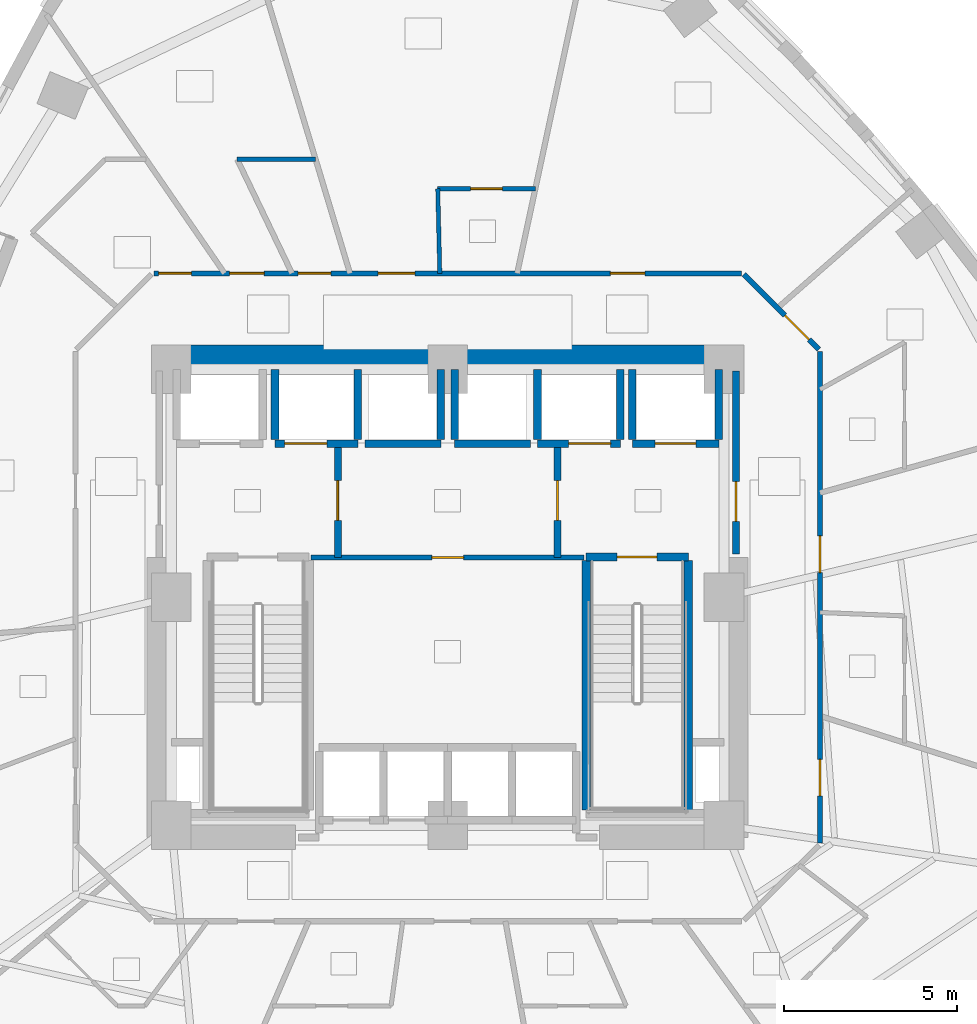
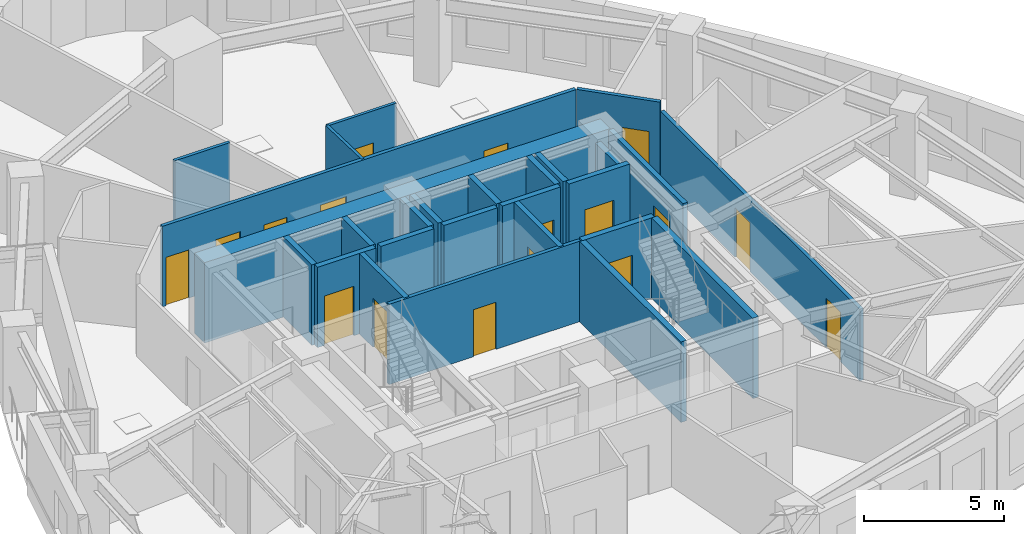
# One storey, part 7 of 12: 27 walls, 17 doors, 17 openings.
"""IFC4 building model written with IfcOpenShell, lengths in metres."""

from ifc_helpers import new_model, si_unit, direction, frame, frame_2d, origin, place, context, subcontext, project, spatial, rectangle, extrude, material, layer, layer_set, type_object, element, fill, save


model = new_model("IFC4")

# Units and contexts
model_context = context("Model", 3, precision=1e-05, world=origin(), true_north=direction((0.0, 1.0)))
body_context = subcontext(model_context, "Body", "Model", "MODEL_VIEW")
ifc_project = project(units=[si_unit("LENGTHUNIT", "METRE"), si_unit("AREAUNIT", "SQUARE_METRE"), si_unit("VOLUMEUNIT", "CUBIC_METRE"), si_unit("PLANEANGLEUNIT", "RADIAN"), si_unit("MASSUNIT", "GRAM", prefix="KILO")], contexts=[model_context])

# Site, building, storey
site_placement = place(None, origin())
site = spatial("IfcSite", under=ifc_project, at=site_placement, CompositionType="ELEMENT")
building_placement = place(site_placement, origin())
building = spatial("IfcBuilding", under=site, at=building_placement, Name="Ndelora Gate Hotel", CompositionType="ELEMENT")
storey_placement = place(building_placement, frame((0.0, 0.0, 64.25)))
storey = spatial("IfcBuildingStorey", under=building, at=storey_placement, Name="L15", CompositionType="ELEMENT", Elevation=64.25)

# Wall
ifc_material_1 = material(Name="Concrete C60/75", Category="concrete")
ifc_layer_1 = layer(ifc_material_1, 0.699951171875)
ifc_layer_set_1 = layer_set([ifc_layer_1], Name="Concrete C60/75")
wall_type_1 = type_object("IfcWallType", Name="WL-CORE-700", PredefinedType="SHEAR", material=ifc_layer_set_1)
wall_1_placement = place(storey_placement, frame((-8.35009765625, 6.949951171875, 0.0), z_axis=(0.0, 0.0, 1.0), x_axis=(1.0, 0.0, 0.0)))
element("IfcWall", 1, at=wall_1_placement, inside=storey, type_object=wall_type_1, Name="L15 Core Shear Wall N", PredefinedType="SHEAR", context=body_context, shape_type="SweptSolid", body=[
    extrude(rectangle(XDim=16.7001953125, YDim=0.699951171875, at=frame_2d((8.35009765625, 0.0))), origin(), (0.0, 0.0, 1.0), 3.5),
])

# Wall, opening, door
ifc_material_2 = material(Name="Concrete C40/50", Category="concrete")
ifc_layer_2 = layer(ifc_material_2, 0.199951171875)
ifc_layer_set_2 = layer_set([ifc_layer_2], Name="Concrete C40/50")
wall_type_2 = type_object("IfcWallType", Name="WL-FIRE-200", PredefinedType="PARTITIONING", material=ifc_layer_set_2)
wall_2_placement = place(storey_placement, frame((-3.179931640625, 1.14990234375, 0.0), z_axis=(0.0, 0.0, 1.0), x_axis=(0.0, 1.0, 0.0)))
wall_2 = element("IfcWall", 2, at=wall_2_placement, inside=storey, type_object=wall_type_2, Name="L15 Interior Wall IW-2", PredefinedType="PARTITIONING", context=body_context, shape_type="SweptSolid", body=[
    extrude(rectangle(XDim=3.300048828125, YDim=0.199951171875, at=frame_2d((1.64990234375, 0.0))), origin(), (0.0, 0.0, 1.0), 3.5),
])
opening_1_placement = place(wall_2_placement, frame((1.080078125, 0.0, 0.0)))
opening_1 = element("IfcOpeningElement", 3, at=opening_1_placement, cuts=wall_2, Name="Opening FD1", PredefinedType="OPENING", context=body_context, shape_type="SweptSolid", body=[
    extrude(rectangle(XDim=1.14990234375, YDim=2.14990234375, at=frame_2d((0.574951171875, 1.074951171875))), frame((0.0, 0.10986328125, 0.0), z_axis=(0.0, -1.0, 0.0), x_axis=(1.0, 0.0, 0.0)), (0.0, 0.0, 1.0), 0.219970703125),
])
ifc_material_3 = material(Name="Fire-Rated Timber-Veneer Steel Core", Category="steel")
door_type_1 = type_object("IfcDoorType", Name="DR-FD60", OperationType="SINGLE_SWING_LEFT", PredefinedType="DOOR", material=ifc_material_3)
door_1_placement = place(opening_1_placement, origin())
door_1 = element("IfcDoor", 4, at=door_1_placement, inside=storey, type_object=door_type_1, Name="L15 Firefighting Lobby West Door", OperationType="SINGLE_SWING_RIGHT", OverallHeight=2.14990234375, OverallWidth=1.14990234375, PredefinedType="DOOR", context=body_context, shape_type="SweptSolid", body=[
    extrude(rectangle(XDim=1.14990234375, YDim=2.14990234375, at=frame_2d((0.574951171875, 1.074951171875))), frame((0.0, 0.02490234375, 0.0), z_axis=(0.0, -1.0, 0.0), x_axis=(1.0, 0.0, 0.0)), (0.0, 0.0, 1.0), 0.050048828125),
])
fill(opening_1, door_1)

wall_3_placement = place(storey_placement, frame((3.179931640625, 1.14990234375, 0.0), z_axis=(0.0, 0.0, 1.0), x_axis=(0.0, 1.0, 0.0)))
wall_3 = element("IfcWall", 5, at=wall_3_placement, inside=storey, type_object=wall_type_2, Name="L15 Interior Wall IW-2", PredefinedType="PARTITIONING", context=body_context, shape_type="SweptSolid", body=[
    extrude(rectangle(XDim=3.300048828125, YDim=0.199951171875, at=frame_2d((1.64990234375, 0.0))), origin(), (0.0, 0.0, 1.0), 3.5),
])
opening_2_placement = place(wall_3_placement, frame((1.080078125, 0.0, 0.0)))
opening_2 = element("IfcOpeningElement", 6, at=opening_2_placement, cuts=wall_3, Name="Opening FD1", PredefinedType="OPENING", context=body_context, shape_type="SweptSolid", body=[
    extrude(rectangle(XDim=1.14990234375, YDim=2.14990234375, at=frame_2d((0.574951171875, 1.074951171875))), frame((0.0, 0.10986328125, 0.0), z_axis=(0.0, -1.0, 0.0), x_axis=(1.0, 0.0, 0.0)), (0.0, 0.0, 1.0), 0.219970703125),
])
door_2_placement = place(opening_2_placement, origin())
door_2 = element("IfcDoor", 7, at=door_2_placement, inside=storey, type_object=door_type_1, Name="L15 Firefighting Lobby East Door", OperationType="SINGLE_SWING_LEFT", OverallHeight=2.14990234375, OverallWidth=1.14990234375, PredefinedType="DOOR", context=body_context, shape_type="SweptSolid", body=[
    extrude(rectangle(XDim=1.14990234375, YDim=2.14990234375, at=frame_2d((0.574951171875, 1.074951171875))), frame((0.0, 0.02490234375, 0.0), z_axis=(0.0, -1.0, 0.0), x_axis=(1.0, 0.0, 0.0)), (0.0, 0.0, 1.0), 0.050048828125),
])
fill(opening_2, door_2)

wall_4_placement = place(storey_placement, frame((8.35009765625, 1.25, 0.0), z_axis=(0.0, 0.0, 1.0), x_axis=(0.0, 1.0, 0.0)))
wall_4 = element("IfcWall", 8, at=wall_4_placement, inside=storey, type_object=wall_type_2, Name="L15 Interior Wall IW-2", PredefinedType="PARTITIONING", context=body_context, shape_type="SweptSolid", body=[
    extrude(rectangle(XDim=5.300048828125, YDim=0.199951171875, at=frame_2d((2.64990234375, 0.0))), origin(), (0.0, 0.0, 1.0), 3.5),
])
opening_3_placement = place(wall_4_placement, frame((0.949951171875, 0.0, 0.0)))
opening_3 = element("IfcOpeningElement", 9, at=opening_3_placement, cuts=wall_4, Name="Opening FD1", PredefinedType="OPENING", context=body_context, shape_type="SweptSolid", body=[
    extrude(rectangle(XDim=1.14990234375, YDim=2.14990234375, at=frame_2d((0.574951171875, 1.074951171875))), frame((0.0, 0.10986328125, 0.0), z_axis=(0.0, -1.0, 0.0), x_axis=(1.0, 0.0, 0.0)), (0.0, 0.0, 1.0), 0.219970703125),
])
door_3_placement = place(opening_3_placement, origin())
door_3 = element("IfcDoor", 10, at=door_3_placement, inside=storey, type_object=door_type_1, Name="L15 Firefighting Lobby East Corridor Door", OperationType="SINGLE_SWING_RIGHT", OverallHeight=2.14990234375, OverallWidth=1.14990234375, PredefinedType="DOOR", context=body_context, shape_type="SweptSolid", body=[
    extrude(rectangle(XDim=1.14990234375, YDim=2.14990234375, at=frame_2d((0.574951171875, 1.074951171875))), frame((0.0, 0.02490234375, 0.0), z_axis=(0.0, -1.0, 0.0), x_axis=(1.0, 0.0, 0.0)), (0.0, 0.0, 1.0), 0.050048828125),
])
fill(opening_3, door_3)

ifc_material_4 = material(Name="Fire-Rated Gypsum Stud Partition", Category="gypsum")
ifc_layer_3 = layer(ifc_material_4, 0.14990234375)
ifc_layer_set_3 = layer_set([ifc_layer_3], Name="Fire-Rated Gypsum Stud Partition")
wall_type_3 = type_object("IfcWallType", Name="WL-PART-150", PredefinedType="PARTITIONING", material=ifc_layer_set_3)
wall_5_placement = place(storey_placement, frame((3.949951171875, 1.14990234375, 0.0), z_axis=(0.0, 0.0, 1.0), x_axis=(-1.0, 0.0, 0.0)))
wall_5 = element("IfcWall", 11, at=wall_5_placement, inside=storey, type_object=wall_type_3, Name="L15 Interior Wall IW-5", PredefinedType="PARTITIONING", context=body_context, shape_type="SweptSolid", body=[
    extrude(rectangle(XDim=7.89990234375, YDim=0.14990234375, at=frame_2d((3.949951171875, 0.0))), origin(), (0.0, 0.0, 1.0), 3.5),
])
opening_4_placement = place(wall_5_placement, frame((3.489990234375, 0.0, 0.0)))
opening_4 = element("IfcOpeningElement", 12, at=opening_4_placement, cuts=wall_5, Name="Opening D04", PredefinedType="OPENING", context=body_context, shape_type="SweptSolid", body=[
    extrude(rectangle(XDim=0.919921875, YDim=2.050048828125, at=frame_2d((0.4599609375, 1.02490234375))), frame((0.0, 0.0849609375, 0.0), z_axis=(0.0, -1.0, 0.0), x_axis=(1.0, 0.0, 0.0)), (0.0, 0.0, 1.0), 0.169921875),
])
ifc_material_5 = material(Name="Painted Steel Core Service Door", Category="steel")
door_type_2 = type_object("IfcDoorType", Name="DR-SER-920", OperationType="SINGLE_SWING_LEFT", PredefinedType="DOOR", material=ifc_material_5)
door_4_placement = place(opening_4_placement, origin())
door_4 = element("IfcDoor", 13, at=door_4_placement, inside=storey, type_object=door_type_2, Name="L15 Core Electrical and Linen Service Store Door", OperationType="SINGLE_SWING_LEFT", OverallHeight=2.050048828125, OverallWidth=0.919921875, PredefinedType="DOOR", context=body_context, shape_type="SweptSolid", body=[
    extrude(rectangle(XDim=0.919921875, YDim=2.050048828125, at=frame_2d((0.4599609375, 1.02490234375))), frame((0.0, 0.02490234375, 0.0), z_axis=(0.0, -1.0, 0.0), x_axis=(1.0, 0.0, 0.0)), (0.0, 0.0, 1.0), 0.050048828125),
])
fill(opening_4, door_4)

# Wall, openings, doors
wall_6_placement = place(storey_placement, frame((10.780029296875, 7.110107421875, 0.0), z_axis=(0.0, 0.0, 1.0), x_axis=(0.0, -1.0, 0.0)))
wall_6 = element("IfcWall", 14, at=wall_6_placement, inside=storey, type_object=wall_type_3, Name="L15 Interior Wall IW-5", PredefinedType="PARTITIONING", context=body_context, shape_type="SweptSolid", body=[
    extrude(rectangle(XDim=14.22021484375, YDim=0.14990234375, at=frame_2d((7.110107421875, 0.0))), origin(), (0.0, 0.0, 1.0), 3.1201171875),
])
opening_5_placement = place(wall_6_placement, frame((5.33447265625, 0.0, 0.0)))
opening_5 = element("IfcOpeningElement", 15, at=opening_5_placement, cuts=wall_6, Name="Opening D07", PredefinedType="OPENING", context=body_context, shape_type="SweptSolid", body=[
    extrude(rectangle(XDim=1.06005859375, YDim=2.14990234375, at=frame_2d((0.530029296875, 1.074951171875))), frame((0.0, 0.0849609375, 0.0), z_axis=(0.0, -1.0, 0.0), x_axis=(1.0, 0.0, 0.0)), (0.0, 0.0, 1.0), 0.169921875),
])
opening_6_placement = place(wall_6_placement, frame((11.8017578125, 0.0, 0.0)))
opening_6 = element("IfcOpeningElement", 16, at=opening_6_placement, cuts=wall_6, Name="Opening D07", PredefinedType="OPENING", context=body_context, shape_type="SweptSolid", body=[
    extrude(rectangle(XDim=1.06005859375, YDim=2.14990234375, at=frame_2d((0.530029296875, 1.074951171875))), frame((0.0, 0.0849609375, 0.0), z_axis=(0.0, -1.0, 0.0), x_axis=(1.0, 0.0, 0.0)), (0.0, 0.0, 1.0), 0.169921875),
])
ifc_material_6 = material(Name="Diplomatic Suite Acoustic Entrance Door", Category="wood")
door_type_3 = type_object("IfcDoorType", Name="DR-SUITE-1060", OperationType="SINGLE_SWING_LEFT", PredefinedType="DOOR", material=ifc_material_6)
door_5_placement = place(opening_5_placement, origin())
door_5 = element("IfcDoor", 17, at=door_5_placement, inside=storey, type_object=door_type_3, Name="L15 Corner Diplomatic Suite 1806 Entrance Door", OperationType="SINGLE_SWING_LEFT", OverallHeight=2.14990234375, OverallWidth=1.06005859375, PredefinedType="DOOR", context=body_context, shape_type="SweptSolid", body=[
    extrude(rectangle(XDim=1.06005859375, YDim=2.14990234375, at=frame_2d((0.530029296875, 1.074951171875))), frame((0.0, 0.02490234375, 0.0), z_axis=(0.0, -1.0, 0.0), x_axis=(1.0, 0.0, 0.0)), (0.0, 0.0, 1.0), 0.050048828125),
])
fill(opening_5, door_5)
door_6_placement = place(opening_6_placement, origin())
door_6 = element("IfcDoor", 18, at=door_6_placement, inside=storey, type_object=door_type_3, Name="L15 Deluxe King Junior Suite 1805 Entrance Door", OperationType="SINGLE_SWING_LEFT", OverallHeight=2.14990234375, OverallWidth=1.06005859375, PredefinedType="DOOR", context=body_context, shape_type="SweptSolid", body=[
    extrude(rectangle(XDim=1.06005859375, YDim=2.14990234375, at=frame_2d((0.530029296875, 1.074951171875))), frame((0.0, 0.02490234375, 0.0), z_axis=(0.0, -1.0, 0.0), x_axis=(1.0, 0.0, 0.0)), (0.0, 0.0, 1.0), 0.050048828125),
])
fill(opening_6, door_6)

# Wall, opening, door
wall_7_placement = place(storey_placement, frame((8.578369140625, 9.351806640625, 0.0), z_axis=(0.0, 0.0, 1.0), x_axis=(0.707067066127, -0.707146494016, 0.0)))
wall_7 = element("IfcWall", 19, at=wall_7_placement, inside=storey, type_object=wall_type_3, Name="L15 Interior Wall IW-5", PredefinedType="PARTITIONING", context=body_context, shape_type="SweptSolid", body=[
    extrude(rectangle(XDim=3.07373046875, YDim=0.14990234375, at=frame_2d((1.536865234375, 0.0))), origin(), (0.0, 0.0, 1.0), 3.5),
])
opening_7_placement = place(wall_7_placement, frame((1.67578125, 0.0, 0.0)))
opening_7 = element("IfcOpeningElement", 20, at=opening_7_placement, cuts=wall_7, Name="Opening D01", PredefinedType="OPENING", context=body_context, shape_type="SweptSolid", body=[
    extrude(rectangle(XDim=1.0, YDim=2.14990234375, at=frame_2d((0.5, 1.074951171875))), frame((0.0, 0.0849609375, 0.0), z_axis=(0.0, -1.0, 0.0), x_axis=(1.0, 0.0, 0.0)), (0.0, 0.0, 1.0), 0.169921875),
])
ifc_material_7 = material(Name="Acoustic Hardwood Guest Entrance Door", Category="wood")
door_type_4 = type_object("IfcDoorType", Name="DR-COR-1000", OperationType="SINGLE_SWING_LEFT", PredefinedType="DOOR", material=ifc_material_7)
door_7_placement = place(opening_7_placement, origin())
door_7 = element("IfcDoor", 21, at=door_7_placement, inside=storey, type_object=door_type_4, Name="L15 Twin Guest Room 1807 Entrance Door", OperationType="SINGLE_SWING_RIGHT", OverallHeight=2.14990234375, OverallWidth=1.0, PredefinedType="DOOR", context=body_context, shape_type="SweptSolid", body=[
    extrude(rectangle(XDim=1.0, YDim=2.14990234375, at=frame_2d((0.5, 1.074951171875))), frame((0.0, 0.02490234375, 0.0), z_axis=(0.0, -1.0, 0.0), x_axis=(1.0, 0.0, 0.0)), (0.0, 0.0, 1.0), 0.050048828125),
])
fill(opening_7, door_7)

# Wall, openings, doors
wall_8_placement = place(storey_placement, frame((-8.510009765625, 9.3798828125, 0.0), z_axis=(0.0, 0.0, 1.0), x_axis=(1.0, 0.0, 0.0)))
wall_8 = element("IfcWall", 22, at=wall_8_placement, inside=storey, type_object=wall_type_3, Name="L15 Interior Wall IW-5", PredefinedType="PARTITIONING", context=body_context, shape_type="SweptSolid", body=[
    extrude(rectangle(XDim=17.02001953125, YDim=0.14990234375, at=frame_2d((8.510009765625, 0.0))), origin(), (0.0, 0.0, 1.0), 3.5),
])
opening_8_placement = place(wall_8_placement, frame((4.1767578125, 0.0, 0.0)))
opening_8 = element("IfcOpeningElement", 23, at=opening_8_placement, cuts=wall_8, Name="Opening D05", PredefinedType="OPENING", context=body_context, shape_type="SweptSolid", body=[
    extrude(rectangle(XDim=0.949951171875, YDim=2.10009765625, at=frame_2d((0.47509765625, 1.050048828125))), frame((0.0, 0.0849609375, 0.0), z_axis=(0.0, -1.0, 0.0), x_axis=(1.0, 0.0, 0.0)), (0.0, 0.0, 1.0), 0.169921875),
])
opening_9_placement = place(wall_8_placement, frame((0.139892578125, 0.0, 0.0)))
opening_9 = element("IfcOpeningElement", 24, at=opening_9_placement, cuts=wall_8, Name="Opening D05", PredefinedType="OPENING", context=body_context, shape_type="SweptSolid", body=[
    extrude(rectangle(XDim=0.949951171875, YDim=2.10009765625, at=frame_2d((0.47509765625, 1.050048828125))), frame((0.0, 0.0849609375, 0.0), z_axis=(0.0, -1.0, 0.0), x_axis=(1.0, 0.0, 0.0)), (0.0, 0.0, 1.0), 0.169921875),
])
opening_10_placement = place(wall_8_placement, frame((2.1943359375, 0.0, 0.0)))
opening_10 = element("IfcOpeningElement", 25, at=opening_10_placement, cuts=wall_8, Name="Opening D01", PredefinedType="OPENING", context=body_context, shape_type="SweptSolid", body=[
    extrude(rectangle(XDim=1.0, YDim=2.14990234375, at=frame_2d((0.5, 1.074951171875))), frame((0.0, 0.0849609375, 0.0), z_axis=(0.0, -1.0, 0.0), x_axis=(1.0, 0.0, 0.0)), (0.0, 0.0, 1.0), 0.169921875),
])
opening_11_placement = place(wall_8_placement, frame((13.221435546875, 0.0, 0.0)))
opening_11 = element("IfcOpeningElement", 26, at=opening_11_placement, cuts=wall_8, Name="Opening D01", PredefinedType="OPENING", context=body_context, shape_type="SweptSolid", body=[
    extrude(rectangle(XDim=1.0, YDim=2.14990234375, at=frame_2d((0.5, 1.074951171875))), frame((0.0, 0.0849609375, 0.0), z_axis=(0.0, -1.0, 0.0), x_axis=(1.0, 0.0, 0.0)), (0.0, 0.0, 1.0), 0.169921875),
])
opening_12_placement = place(wall_8_placement, frame((6.498046875, 0.0, 0.0)))
opening_12 = element("IfcOpeningElement", 27, at=opening_12_placement, cuts=wall_8, Name="Opening D07", PredefinedType="OPENING", context=body_context, shape_type="SweptSolid", body=[
    extrude(rectangle(XDim=1.06005859375, YDim=2.14990234375, at=frame_2d((0.530029296875, 1.074951171875))), frame((0.0, 0.0849609375, 0.0), z_axis=(0.0, -1.0, 0.0), x_axis=(1.0, 0.0, 0.0)), (0.0, 0.0, 1.0), 0.169921875),
])
ifc_material_8 = material(Name="Accessible Restroom Wide-Clearance Door", Category="wood")
door_type_5 = type_object("IfcDoorType", Name="DR-ACC-950", OperationType="SINGLE_SWING_LEFT", PredefinedType="DOOR", material=ifc_material_8)
door_8_placement = place(opening_8_placement, origin())
door_8 = element("IfcDoor", 28, at=door_8_placement, inside=storey, type_object=door_type_5, Name="L15 Male Public Restroom Entrance Door", OperationType="SINGLE_SWING_RIGHT", OverallHeight=2.10009765625, OverallWidth=0.949951171875, PredefinedType="DOOR", context=body_context, shape_type="SweptSolid", body=[
    extrude(rectangle(XDim=0.949951171875, YDim=2.10009765625, at=frame_2d((0.47509765625, 1.050048828125))), frame((0.0, 0.02490234375, 0.0), z_axis=(0.0, -1.0, 0.0), x_axis=(1.0, 0.0, 0.0)), (0.0, 0.0, 1.0), 0.050048828125),
])
fill(opening_8, door_8)
door_9_placement = place(opening_9_placement, origin())
door_9 = element("IfcDoor", 29, at=door_9_placement, inside=storey, type_object=door_type_5, Name="L15 Accessible WC Entrance Door", OperationType="SINGLE_SWING_LEFT", OverallHeight=2.10009765625, OverallWidth=0.949951171875, PredefinedType="DOOR", context=body_context, shape_type="SweptSolid", body=[
    extrude(rectangle(XDim=0.949951171875, YDim=2.10009765625, at=frame_2d((0.47509765625, 1.050048828125))), frame((0.0, 0.02490234375, 0.0), z_axis=(0.0, -1.0, 0.0), x_axis=(1.0, 0.0, 0.0)), (0.0, 0.0, 1.0), 0.050048828125),
])
fill(opening_9, door_9)
door_10_placement = place(opening_10_placement, origin())
door_10 = element("IfcDoor", 30, at=door_10_placement, inside=storey, type_object=door_type_4, Name="L15 Housekeeping and Linen Room Entrance Door", OperationType="SINGLE_SWING_RIGHT", OverallHeight=2.14990234375, OverallWidth=1.0, PredefinedType="DOOR", context=body_context, shape_type="SweptSolid", body=[
    extrude(rectangle(XDim=1.0, YDim=2.14990234375, at=frame_2d((0.5, 1.074951171875))), frame((0.0, 0.02490234375, 0.0), z_axis=(0.0, -1.0, 0.0), x_axis=(1.0, 0.0, 0.0)), (0.0, 0.0, 1.0), 0.050048828125),
])
fill(opening_10, door_10)
door_11_placement = place(opening_11_placement, origin())
door_11 = element("IfcDoor", 31, at=door_11_placement, inside=storey, type_object=door_type_4, Name="L15 Executive Meeting Room Entrance Door", OperationType="SINGLE_SWING_LEFT", OverallHeight=2.14990234375, OverallWidth=1.0, PredefinedType="DOOR", context=body_context, shape_type="SweptSolid", body=[
    extrude(rectangle(XDim=1.0, YDim=2.14990234375, at=frame_2d((0.5, 1.074951171875))), frame((0.0, 0.02490234375, 0.0), z_axis=(0.0, -1.0, 0.0), x_axis=(1.0, 0.0, 0.0)), (0.0, 0.0, 1.0), 0.050048828125),
])
fill(opening_11, door_11)
door_12_placement = place(opening_12_placement, origin())
door_12 = element("IfcDoor", 32, at=door_12_placement, inside=storey, type_object=door_type_3, Name="L15 Deluxe King Junior Suite 1808 Entrance Door", OperationType="SINGLE_SWING_RIGHT", OverallHeight=2.14990234375, OverallWidth=1.06005859375, PredefinedType="DOOR", context=body_context, shape_type="SweptSolid", body=[
    extrude(rectangle(XDim=1.06005859375, YDim=2.14990234375, at=frame_2d((0.530029296875, 1.074951171875))), frame((0.0, 0.02490234375, 0.0), z_axis=(0.0, -1.0, 0.0), x_axis=(1.0, 0.0, 0.0)), (0.0, 0.0, 1.0), 0.050048828125),
])
fill(opening_12, door_12)

# Wall, opening, door
ifc_layer_4 = layer(ifc_material_2, 0.219970703125)
ifc_layer_set_4 = layer_set([ifc_layer_4], Name="Concrete C40/50")
wall_type_4 = type_object("IfcWallType", Name="WL-SHAFT-220", PredefinedType="PARTITIONING", material=ifc_layer_set_4)
wall_9_placement = place(storey_placement, frame((5.35009765625, 4.449951171875, 0.0), z_axis=(0.0, 0.0, 1.0), x_axis=(1.0, 0.0, 0.0)))
wall_9 = element("IfcWall", 33, at=wall_9_placement, inside=storey, type_object=wall_type_4, Name="L15 Interior Wall IW-1", PredefinedType="PARTITIONING", context=body_context, shape_type="SweptSolid", body=[
    extrude(rectangle(XDim=2.5, YDim=0.219970703125, at=frame_2d((1.25, 0.0))), origin(), (0.0, 0.0, 1.0), 3.5),
])
opening_13_placement = place(wall_9_placement, frame((0.659912109375, 0.0, 0.0)))
opening_13 = element("IfcOpeningElement", 34, at=opening_13_placement, cuts=wall_9, Name="Opening LD5", PredefinedType="OPENING", context=body_context, shape_type="SweptSolid", body=[
    extrude(rectangle(XDim=1.179931640625, YDim=2.14990234375, at=frame_2d((0.58984375, 1.074951171875))), frame((0.0, 0.1201171875, 0.0), z_axis=(0.0, -1.0, 0.0), x_axis=(1.0, 0.0, 0.0)), (0.0, 0.0, 1.0), 0.239990234375),
])
ifc_material_9 = material(Name="Firefighting Lift Stainless Sliding Landing Door", Category="metal")
door_type_6 = type_object("IfcDoorType", Name="DR-LD5", OperationType="DOUBLE_DOOR_SLIDING", PredefinedType="DOOR", material=ifc_material_9)
door_13_placement = place(opening_13_placement, origin())
door_13 = element("IfcDoor", 35, at=door_13_placement, inside=storey, type_object=door_type_6, Name="L15 Lift Landing Sliding Door FFL2", OperationType="DOUBLE_DOOR_SLIDING", OverallHeight=2.14990234375, OverallWidth=1.179931640625, PredefinedType="DOOR", context=body_context, shape_type="SweptSolid", body=[
    extrude(rectangle(XDim=1.179931640625, YDim=2.14990234375, at=frame_2d((0.58984375, 1.074951171875))), frame((0.0, 0.02490234375, 0.0), z_axis=(0.0, -1.0, 0.0), x_axis=(1.0, 0.0, 0.0)), (0.0, 0.0, 1.0), 0.050048828125),
])
fill(opening_13, door_13)

# Walls
wall_10_placement = place(storey_placement, frame((5.35009765625, 4.570068359375, 0.0), z_axis=(0.0, 0.0, 1.0), x_axis=(0.0, 1.0, 0.0)))
element("IfcWall", 36, at=wall_10_placement, inside=storey, type_object=wall_type_4, Name="L15 Interior Wall IW-1", PredefinedType="PARTITIONING", context=body_context, shape_type="SweptSolid", body=[
    extrude(rectangle(XDim=2.030029296875, YDim=0.219970703125, at=frame_2d((1.01513671875, 0.0))), origin(), (0.0, 0.0, 1.0), 3.5),
])
wall_11_placement = place(storey_placement, frame((7.85009765625, 4.570068359375, 0.0), z_axis=(0.0, 0.0, 1.0), x_axis=(0.0, 1.0, 0.0)))
element("IfcWall", 37, at=wall_11_placement, inside=storey, type_object=wall_type_4, Name="L15 Interior Wall IW-1", PredefinedType="PARTITIONING", context=body_context, shape_type="SweptSolid", body=[
    extrude(rectangle(XDim=2.030029296875, YDim=0.219970703125, at=frame_2d((1.01513671875, 0.0))), origin(), (0.0, 0.0, 1.0), 3.080078125),
])

# Wall, opening, door
wall_12_placement = place(storey_placement, frame((-5.0, 4.449951171875, 0.0), z_axis=(0.0, 0.0, 1.0), x_axis=(1.0, 0.0, 0.0)))
wall_12 = element("IfcWall", 38, at=wall_12_placement, inside=storey, type_object=wall_type_4, Name="L15 Interior Wall IW-1", PredefinedType="PARTITIONING", context=body_context, shape_type="SweptSolid", body=[
    extrude(rectangle(XDim=2.39990234375, YDim=0.219970703125, at=frame_2d((1.199951171875, 0.0))), origin(), (0.0, 0.0, 1.0), 3.5),
])
opening_14_placement = place(wall_12_placement, frame((0.280029296875, 0.0, 0.0)))
opening_14 = element("IfcOpeningElement", 39, at=opening_14_placement, cuts=wall_12, Name="Opening LD6", PredefinedType="OPENING", context=body_context, shape_type="SweptSolid", body=[
    extrude(rectangle(XDim=1.219970703125, YDim=2.14990234375, at=frame_2d((0.60986328125, 1.074951171875))), frame((0.0, 0.1201171875, 0.0), z_axis=(0.0, -1.0, 0.0), x_axis=(1.0, 0.0, 0.0)), (0.0, 0.0, 1.0), 0.239990234375),
])
ifc_material_10 = material(Name="Heavy-Duty Service Lift Sliding Landing Door", Category="wood")
door_type_7 = type_object("IfcDoorType", Name="DR-LD6", OperationType="DOUBLE_DOOR_SLIDING", PredefinedType="DOOR", material=ifc_material_10)
door_14_placement = place(opening_14_placement, origin())
door_14 = element("IfcDoor", 40, at=door_14_placement, inside=storey, type_object=door_type_7, Name="L15 Lift Landing Sliding Door SVL1", OperationType="DOUBLE_DOOR_SLIDING", OverallHeight=2.14990234375, OverallWidth=1.219970703125, PredefinedType="DOOR", context=body_context, shape_type="SweptSolid", body=[
    extrude(rectangle(XDim=1.219970703125, YDim=2.14990234375, at=frame_2d((0.60986328125, 1.074951171875))), frame((0.0, 0.02490234375, 0.0), z_axis=(0.0, -1.0, 0.0), x_axis=(1.0, 0.0, 0.0)), (0.0, 0.0, 1.0), 0.050048828125),
])
fill(opening_14, door_14)

# Walls
for number, where, z_axis, x_axis, name in (
    (41, (-5.0, 4.570068359375, 0.0), (0.0, 0.0, 1.0), (0.0, 1.0, 0.0), "L15 Interior Wall IW-1"),
    (42, (-2.60009765625, 4.570068359375, 0.0), (0.0, 0.0, 1.0), (0.0, 1.0, 0.0), "L15 Interior Wall IW-1"),
):
    element("IfcWall", number, at=place(storey_placement, frame(where, z_axis=z_axis, x_axis=x_axis)), inside=storey, type_object=wall_type_4, Name=name, PredefinedType="PARTITIONING", context=body_context, shape_type="SweptSolid", body=[
        extrude(rectangle(XDim=2.030029296875, YDim=0.219970703125, at=frame_2d((1.01513671875, 0.0))), origin(), (0.0, 0.0, 1.0), 3.5),
    ])

# Wall, opening, door
wall_13_placement = place(storey_placement, frame((2.60009765625, 4.449951171875, 0.0), z_axis=(0.0, 0.0, 1.0), x_axis=(1.0, 0.0, 0.0)))
wall_13 = element("IfcWall", 43, at=wall_13_placement, inside=storey, type_object=wall_type_4, Name="L15 Interior Wall IW-1", PredefinedType="PARTITIONING", context=body_context, shape_type="SweptSolid", body=[
    extrude(rectangle(XDim=2.39990234375, YDim=0.219970703125, at=frame_2d((1.199951171875, 0.0))), origin(), (0.0, 0.0, 1.0), 3.5),
])
opening_15_placement = place(wall_13_placement, frame((0.89990234375, 0.0, 0.0)))
opening_15 = element("IfcOpeningElement", 44, at=opening_15_placement, cuts=wall_13, Name="Opening LD6", PredefinedType="OPENING", context=body_context, shape_type="SweptSolid", body=[
    extrude(rectangle(XDim=1.219970703125, YDim=2.14990234375, at=frame_2d((0.60986328125, 1.074951171875))), frame((0.0, 0.1201171875, 0.0), z_axis=(0.0, -1.0, 0.0), x_axis=(1.0, 0.0, 0.0)), (0.0, 0.0, 1.0), 0.239990234375),
])
door_15_placement = place(opening_15_placement, origin())
door_15 = element("IfcDoor", 45, at=door_15_placement, inside=storey, type_object=door_type_7, Name="L15 Lift Landing Sliding Door SVL2", OperationType="DOUBLE_DOOR_SLIDING", OverallHeight=2.14990234375, OverallWidth=1.219970703125, PredefinedType="DOOR", context=body_context, shape_type="SweptSolid", body=[
    extrude(rectangle(XDim=1.219970703125, YDim=2.14990234375, at=frame_2d((0.60986328125, 1.074951171875))), frame((0.0, 0.02490234375, 0.0), z_axis=(0.0, -1.0, 0.0), x_axis=(1.0, 0.0, 0.0)), (0.0, 0.0, 1.0), 0.050048828125),
])
fill(opening_15, door_15)

# Walls
for number, where, z_axis, x_axis, name in (
    (46, (2.60009765625, 4.570068359375, 0.0), (0.0, 0.0, 1.0), (0.0, 1.0, 0.0), "L15 Interior Wall IW-1"),
    (47, (5.0, 4.570068359375, 0.0), (0.0, 0.0, 1.0), (0.0, 1.0, 0.0), "L15 Interior Wall IW-1"),
):
    element("IfcWall", number, at=place(storey_placement, frame(where, z_axis=z_axis, x_axis=x_axis)), inside=storey, type_object=wall_type_4, Name=name, PredefinedType="PARTITIONING", context=body_context, shape_type="SweptSolid", body=[
        extrude(rectangle(XDim=2.030029296875, YDim=0.219970703125, at=frame_2d((1.01513671875, 0.0))), origin(), (0.0, 0.0, 1.0), 3.5),
    ])
wall_14_placement = place(storey_placement, frame((-2.39990234375, 4.449951171875, 0.0), z_axis=(0.0, 0.0, 1.0), x_axis=(1.0, 0.0, 0.0)))
element("IfcWall", 48, at=wall_14_placement, inside=storey, type_object=wall_type_4, Name="L15 Interior Wall IW-1", PredefinedType="PARTITIONING", context=body_context, shape_type="SweptSolid", body=[
    extrude(rectangle(XDim=2.199951171875, YDim=0.219970703125, at=frame_2d((1.10009765625, 0.0))), origin(), (0.0, 0.0, 1.0), 3.5),
])
wall_15_placement = place(storey_placement, frame((-0.199951171875, 4.570068359375, 0.0), z_axis=(0.0, 0.0, 1.0), x_axis=(0.0, 1.0, 0.0)))
element("IfcWall", 49, at=wall_15_placement, inside=storey, type_object=wall_type_4, Name="L15 Interior Wall IW-1", PredefinedType="PARTITIONING", context=body_context, shape_type="SweptSolid", body=[
    extrude(rectangle(XDim=2.030029296875, YDim=0.219970703125, at=frame_2d((1.01513671875, 0.0))), origin(), (0.0, 0.0, 1.0), 3.5),
])
wall_16_placement = place(storey_placement, frame((0.199951171875, 4.449951171875, 0.0), z_axis=(0.0, 0.0, 1.0), x_axis=(1.0, 0.0, 0.0)))
element("IfcWall", 50, at=wall_16_placement, inside=storey, type_object=wall_type_4, Name="L15 Interior Wall IW-1", PredefinedType="PARTITIONING", context=body_context, shape_type="SweptSolid", body=[
    extrude(rectangle(XDim=2.199951171875, YDim=0.219970703125, at=frame_2d((1.10009765625, 0.0))), origin(), (0.0, 0.0, 1.0), 3.5),
])
wall_17_placement = place(storey_placement, frame((0.199951171875, 4.570068359375, 0.0), z_axis=(0.0, 0.0, 1.0), x_axis=(0.0, 1.0, 0.0)))
element("IfcWall", 51, at=wall_17_placement, inside=storey, type_object=wall_type_4, Name="L15 Interior Wall IW-1", PredefinedType="PARTITIONING", context=body_context, shape_type="SweptSolid", body=[
    extrude(rectangle(XDim=2.030029296875, YDim=0.219970703125, at=frame_2d((1.01513671875, 0.0))), origin(), (0.0, 0.0, 1.0), 3.5),
])
ifc_material_11 = material(Name="Concrete C50/60", Category="concrete")
ifc_layer_5 = layer(ifc_material_11, 0.239990234375)
ifc_layer_set_5 = layer_set([ifc_layer_5], Name="Concrete C50/60")
wall_type_5 = type_object("IfcWallType", Name="WL-STAIR-240", PredefinedType="SHEAR", material=ifc_layer_set_5)
for number, where, z_axis, x_axis, name in (
    (52, (4.010009765625, -6.159912109375, 0.0), (0.0, 0.0, 1.0), (0.0, 1.0, 0.0), "L15 Stair Core Shear Wall SW-ST"),
    (53, (6.969970703125, -6.159912109375, 0.0), (0.0, 0.0, 1.0), (0.0, 1.0, 0.0), "L15 Stair Core Shear Wall SW-ST"),
):
    element("IfcWall", number, at=place(storey_placement, frame(where, z_axis=z_axis, x_axis=x_axis)), inside=storey, type_object=wall_type_5, Name=name, PredefinedType="SHEAR", context=body_context, shape_type="SweptSolid", body=[
        extrude(rectangle(XDim=7.219970703125, YDim=0.239990234375, at=frame_2d((3.60986328125, 0.0))), origin(), (0.0, 0.0, 1.0), 3.5),
    ])

# Wall, opening, door
wall_18_placement = place(storey_placement, frame((4.010009765625, 1.169921875, 0.0), z_axis=(0.0, 0.0, 1.0), x_axis=(1.0, 0.0, 0.0)))
wall_18 = element("IfcWall", 54, at=wall_18_placement, inside=storey, type_object=wall_type_5, Name="L15 Stair Core Shear Wall SW-ST", PredefinedType="SHEAR", context=body_context, shape_type="SweptSolid", body=[
    extrude(rectangle(XDim=2.9599609375, YDim=0.239990234375, at=frame_2d((1.47998046875, 0.0))), origin(), (0.0, 0.0, 1.0), 3.5),
])
opening_16_placement = place(wall_18_placement, frame((0.89990234375, 0.0, 0.0)))
opening_16 = element("IfcOpeningElement", 55, at=opening_16_placement, cuts=wall_18, Name="Opening FD1", PredefinedType="OPENING", context=body_context, shape_type="SweptSolid", body=[
    extrude(rectangle(XDim=1.14990234375, YDim=2.14990234375, at=frame_2d((0.574951171875, 1.074951171875))), frame((0.0, 0.1298828125, 0.0), z_axis=(0.0, -1.0, 0.0), x_axis=(1.0, 0.0, 0.0)), (0.0, 0.0, 1.0), 0.260009765625),
])
door_16_placement = place(opening_16_placement, origin())
door_16 = element("IfcDoor", 56, at=door_16_placement, inside=storey, type_object=door_type_1, Name="L15 Exit Stair ST5 Door", OperationType="SINGLE_SWING_RIGHT", OverallHeight=2.14990234375, OverallWidth=1.14990234375, PredefinedType="DOOR", context=body_context, shape_type="SweptSolid", body=[
    extrude(rectangle(XDim=1.14990234375, YDim=2.14990234375, at=frame_2d((0.574951171875, 1.074951171875))), frame((0.0, 0.02490234375, 0.0), z_axis=(0.0, -1.0, 0.0), x_axis=(1.0, 0.0, 0.0)), (0.0, 0.0, 1.0), 0.050048828125),
])
fill(opening_16, door_16)

# Wall
ifc_material_12 = material(Name="Moisture-Resistant Bathroom Tile Partition", Category="gypsum")
ifc_layer_6 = layer(ifc_material_12, 0.1201171875)
ifc_layer_set_6 = layer_set([ifc_layer_6], Name="Moisture-Resistant Bathroom Tile Partition")
wall_type_6 = type_object("IfcWallType", Name="WL-WET-120", PredefinedType="PARTITIONING", material=ifc_layer_set_6)
wall_19_placement = place(storey_placement, frame((-0.227294921875, 9.3798828125, 0.0), z_axis=(0.0, 0.0, 1.0), x_axis=(-0.024305292765, 0.999704582736, 0.0)))
element("IfcWall", 57, at=wall_19_placement, inside=storey, type_object=wall_type_6, Name="L15 Interior Wall IW-7", PredefinedType="PARTITIONING", context=body_context, shape_type="SweptSolid", body=[
    extrude(rectangle(XDim=2.450927734375, YDim=0.1201171875, at=frame_2d((1.2255859375, 0.0))), origin(), (0.0, 0.0, 1.0), 3.5),
])

# Wall, opening, door
wall_20_placement = place(storey_placement, frame((-0.286865234375, 11.830078125, 0.0), z_axis=(0.0, 0.0, 1.0), x_axis=(1.0, 0.0, 0.0)))
wall_20 = element("IfcWall", 58, at=wall_20_placement, inside=storey, type_object=wall_type_6, Name="L15 Interior Wall IW-7", PredefinedType="PARTITIONING", context=body_context, shape_type="SweptSolid", body=[
    extrude(rectangle(XDim=2.825439453125, YDim=0.1201171875, at=frame_2d((1.41259765625, 0.0))), origin(), (0.0, 0.0, 1.0), 3.5),
])
opening_17_placement = place(wall_20_placement, frame((0.95263671875, 0.0, 0.0)))
opening_17 = element("IfcOpeningElement", 59, at=opening_17_placement, cuts=wall_20, Name="Opening D03", PredefinedType="OPENING", context=body_context, shape_type="SweptSolid", body=[
    extrude(rectangle(XDim=0.919921875, YDim=2.10009765625, at=frame_2d((0.4599609375, 1.050048828125))), frame((0.0, 0.070068359375, 0.0), z_axis=(0.0, -1.0, 0.0), x_axis=(1.0, 0.0, 0.0)), (0.0, 0.0, 1.0), 0.14013671875),
])
ifc_material_13 = material(Name="Moisture-Resistant Hardwood En-Suite Door", Category="wood")
door_type_8 = type_object("IfcDoorType", Name="DR-BATH-920", OperationType="SINGLE_SWING_LEFT", PredefinedType="DOOR", material=ifc_material_13)
door_17_placement = place(opening_17_placement, origin())
door_17 = element("IfcDoor", 60, at=door_17_placement, inside=storey, type_object=door_type_8, Name="L15 En-suite Bathroom 1808 Door", OperationType="SINGLE_SWING_LEFT", OverallHeight=2.10009765625, OverallWidth=0.919921875, PredefinedType="DOOR", context=body_context, shape_type="SweptSolid", body=[
    extrude(rectangle(XDim=0.919921875, YDim=2.10009765625, at=frame_2d((0.4599609375, 1.050048828125))), frame((0.0, 0.02490234375, 0.0), z_axis=(0.0, -1.0, 0.0), x_axis=(1.0, 0.0, 0.0)), (0.0, 0.0, 1.0), 0.050048828125),
])
fill(opening_17, door_17)

# Wall
ifc_material_14 = material(Name="Moisture-Resistant Fire-Rated Tile Partition", Category="gypsum")
ifc_layer_7 = layer(ifc_material_14, 0.1298828125)
ifc_layer_set_7 = layer_set([ifc_layer_7], Name="Moisture-Resistant Fire-Rated Tile Partition")
wall_type_7 = type_object("IfcWallType", Name="WL-WET-RATED", PredefinedType="PARTITIONING", material=ifc_layer_set_7)
wall_21_placement = place(storey_placement, frame((-6.093505859375, 12.679931640625, 0.0), z_axis=(0.0, 0.0, 1.0), x_axis=(1.0, 0.0, 0.0)))
element("IfcWall", 61, at=wall_21_placement, inside=storey, type_object=wall_type_7, Name="L15 Interior Wall IW-6", PredefinedType="PARTITIONING", context=body_context, shape_type="SweptSolid", body=[
    extrude(rectangle(XDim=2.2705078125, YDim=0.1298828125, at=frame_2d((1.13525390625, 0.0))), origin(), (0.0, 0.0, 1.0), 3.5),
])

save(model, "model.ifc")
